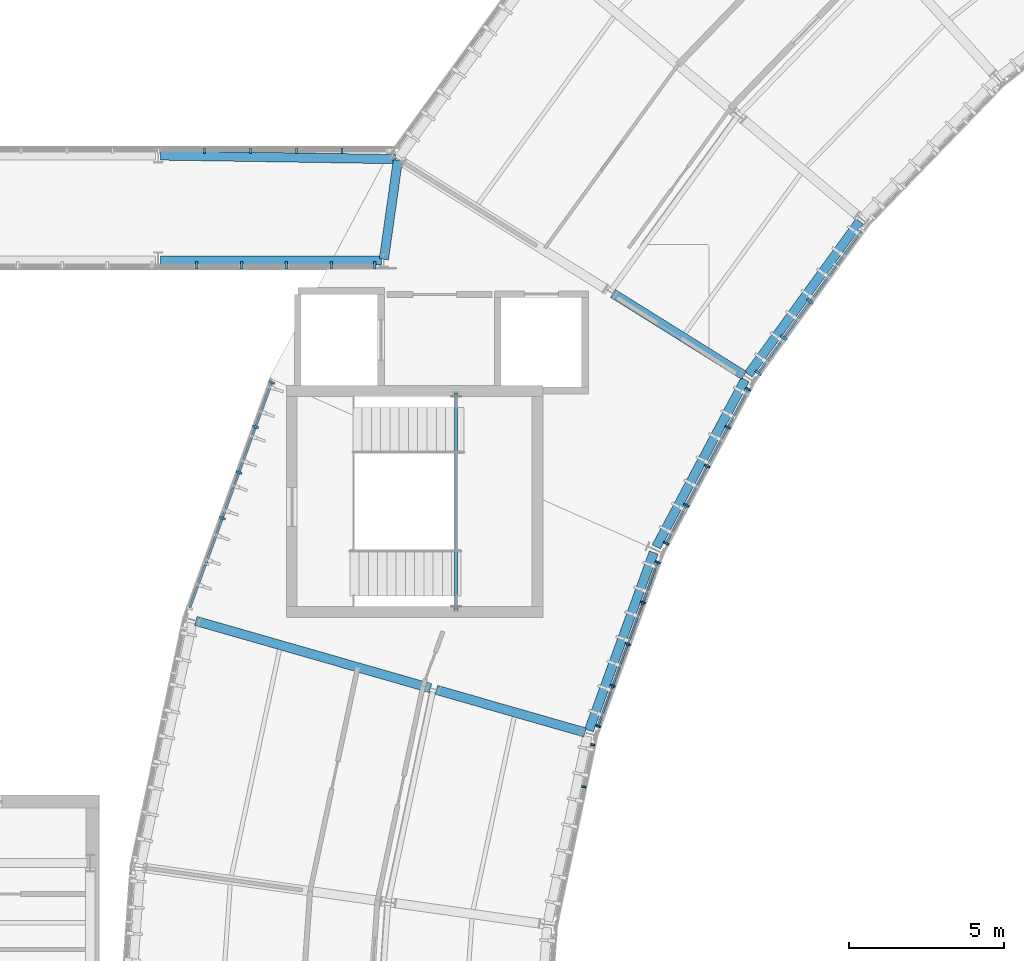
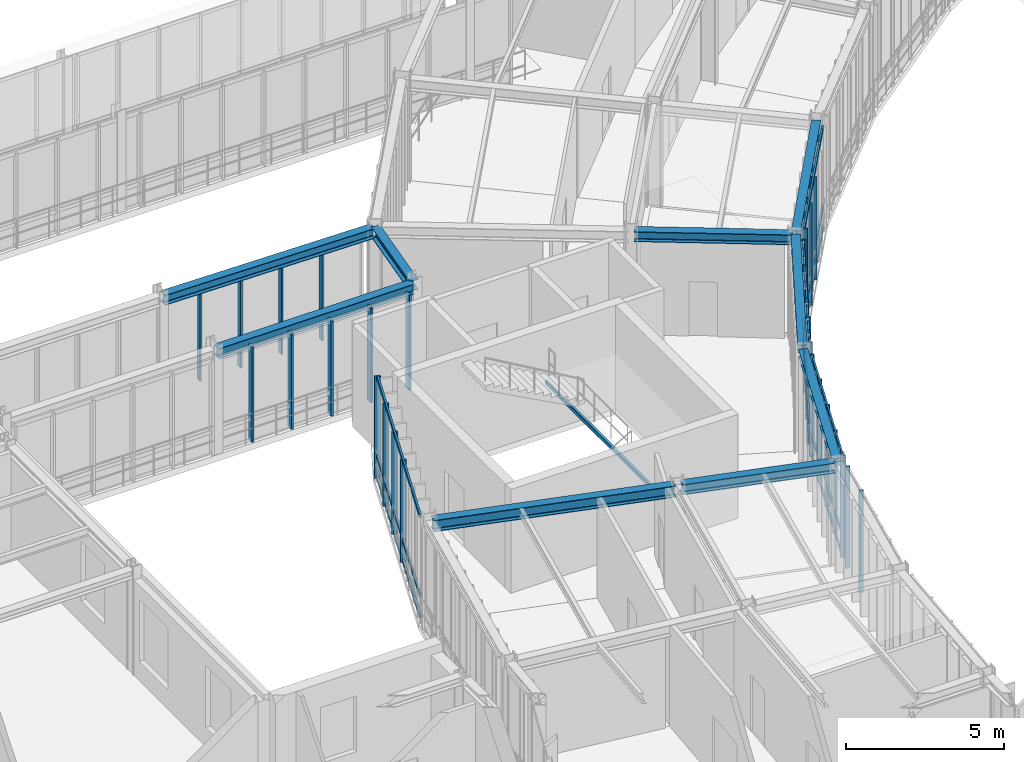
# One storey, part 15 of 57: 41 members, 9 beams, 7 elements without a shape of their own.
"""IFC4 building model written with IfcOpenShell, lengths in metres."""

import ifcopenshell
import ifcopenshell.guid

model = None  # the IFC model being written
_history = None  # IfcOwnerHistory: only IFC2X3 demands one
_inside = {}  # id of a spatial element -> (the spatial element, [elements in it])
_under = {}  # id of a project, library or spatial element -> (it, [spatial elements below it])
_declared = {}  # id of a project -> (the project, [libraries it declares])
_typed = {}  # id of a type object -> (the type object, [elements of that type])
_made_of = {}  # id of a material, layer set ... -> (it, [elements and type objects made of it])


def new_model(schema):
    """Start an empty IFC model of exactly this schema.

    Asked for "IFC4X3", IfcOpenShell would pick the latest addendum, in which some entities
    have other attributes; the version numbers below select the first issue.
    IFC2X3 requires an IfcOwnerHistory on every rooted entity: one is made here for all.
    """
    global model, _history
    if schema == "IFC4X3":
        model = ifcopenshell.file(schema_version=(4, 3, 0, 0))
    else:
        model = ifcopenshell.file(schema=schema)
    _inside.clear()
    _under.clear()
    _declared.clear()
    _typed.clear()
    _made_of.clear()
    _history = None
    if model.schema == "IFC2X3":
        org = make("IfcOrganization", Name="unknown")
        user = make(
            "IfcPersonAndOrganization",
            ThePerson=make("IfcPerson", FamilyName="unknown"),
            TheOrganization=org,
        )
        app = make(
            "IfcApplication",
            ApplicationDeveloper=org,
            Version="unknown",
            ApplicationFullName="unknown",
            ApplicationIdentifier="unknown",
        )
        _history = make(
            "IfcOwnerHistory",
            OwningUser=user,
            OwningApplication=app,
            ChangeAction="ADDED",
            CreationDate=0,
        )
    return model


def make(cls, **values):
    """One entity of the class cls with the attributes given. An attribute that is None is left unset."""
    return model.create_entity(
        cls, **{name: value for name, value in values.items() if value is not None}
    )


def rooted(cls, **values):
    """An entity with a GlobalId (a new one), such as an element, a storey or a relation."""
    return make(cls, GlobalId=ifcopenshell.guid.new(), OwnerHistory=_history, **values)


def si_unit(unit_type, name, prefix=None):
    """IfcSIUnit, for example si_unit("LENGTHUNIT", "METRE", prefix="MILLI")."""
    return make("IfcSIUnit", UnitType=unit_type, Prefix=prefix, Name=name)


def assignment(units):
    """IfcUnitAssignment: the units of a project."""
    return None if units is None else make("IfcUnitAssignment", Units=units)


def point(xyz):
    """IfcCartesianPoint."""
    return None if xyz is None else make("IfcCartesianPoint", Coordinates=xyz)


def direction(xyz):
    """IfcDirection."""
    return None if xyz is None else make("IfcDirection", DirectionRatios=xyz)


def frame(location, z_axis=None, x_axis=None):
    """IfcAxis2Placement3D, a coordinate frame: its origin and axes. An axis left out is left unset."""
    return make(
        "IfcAxis2Placement3D",
        Location=point(location),
        Axis=direction(z_axis),
        RefDirection=direction(x_axis),
    )


def frame_2d(location, x_axis=None):
    """IfcAxis2Placement2D, a coordinate frame in the plane: its origin and x axis."""
    return make(
        "IfcAxis2Placement2D", Location=point(location), RefDirection=direction(x_axis)
    )


def origin():
    """The frame at (0, 0, 0) with its axes left unset."""
    return frame((0.0, 0.0, 0.0))


def origin_2d():
    """The frame at (0, 0) in the plane with its x axis left unset."""
    return frame_2d((0.0, 0.0))


def place(relative_to, where):
    """IfcLocalPlacement: puts the frame where relative to a parent placement (None: the world)."""
    return make(
        "IfcLocalPlacement", PlacementRelTo=relative_to, RelativePlacement=where
    )


def context(
    kind, dimensions, precision=None, world=None, true_north=None, identifier=None
):
    """IfcGeometricRepresentationContext, for example the 3D "Model" context."""
    return make(
        "IfcGeometricRepresentationContext",
        ContextIdentifier=identifier,
        ContextType=kind,
        CoordinateSpaceDimension=dimensions,
        Precision=precision,
        WorldCoordinateSystem=world,
        TrueNorth=true_north,
    )


def subcontext(parent, identifier, kind, view, scale=None):
    """IfcGeometricRepresentationSubContext, for example "Body" below "Model"."""
    return make(
        "IfcGeometricRepresentationSubContext",
        ContextIdentifier=identifier,
        ContextType=kind,
        ParentContext=parent,
        TargetScale=scale,
        TargetView=view,
    )


def project(units=None, contexts=None):
    """IfcProject with its units and contexts."""
    return rooted(
        "IfcProject",
        Name="project",
        RepresentationContexts=contexts,
        UnitsInContext=assignment(units),
    )


def spatial(cls, under=None, at=None, **own):
    """A site, building, storey or space (cls), placed at a placement, below another one or the project."""
    s = rooted(cls, ObjectPlacement=at, **own)
    if under is not None:
        _under.setdefault(under.id(), (under, []))[1].append(s)
    return s


def profile(cls, at=None, kind="AREA", **sizes):
    """A parametric profile (cls). Its sizes go by their IFC names, for example OverallWidth=200.0."""
    return make(cls, ProfileType=kind, Position=at, **sizes)


def rectangle(**sizes):
    """IfcRectangleProfileDef."""
    return profile("IfcRectangleProfileDef", **sizes)


def hollow_rectangle(**sizes):
    """IfcRectangleHollowProfileDef."""
    return profile("IfcRectangleHollowProfileDef", **sizes)


def i_section(**sizes):
    """IfcIShapeProfileDef."""
    return profile("IfcIShapeProfileDef", **sizes)


def extrude(swept, where, along, depth):
    """IfcExtrudedAreaSolid: the profile swept, set in the frame where, extruded along a direction by depth."""
    return make(
        "IfcExtrudedAreaSolid",
        SweptArea=swept,
        Position=where,
        ExtrudedDirection=direction(along),
        Depth=depth,
    )


def shape(context_of_items, identifier, shape_type, items):
    """IfcShapeRepresentation: the items that make up one representation, for example the "Body"."""
    return make(
        "IfcShapeRepresentation",
        ContextOfItems=context_of_items,
        RepresentationIdentifier=identifier,
        RepresentationType=shape_type,
        Items=items,
    )


def material(Name=None, Category=None):
    """IfcMaterial."""
    return make("IfcMaterial", Name=Name, Category=Category)


def layer(
    of_material, thickness, ventilated=None, Name=None, Category=None, Priority=None
):
    """IfcMaterialLayer: one layer of a wall or slab, of a material (None: an air gap)."""
    return make(
        "IfcMaterialLayer",
        Material=of_material,
        LayerThickness=thickness,
        IsVentilated=ventilated,
        Name=Name,
        Category=Category,
        Priority=Priority,
    )


def layer_set(layers, Name=None):
    """IfcMaterialLayerSet."""
    return make("IfcMaterialLayerSet", MaterialLayers=layers, LayerSetName=Name)


def material_profile(
    of_material, cross_section, Name=None, Category=None, Priority=None
):
    """IfcMaterialProfile: a cross section and its material."""
    return make(
        "IfcMaterialProfile",
        Name=Name,
        Material=of_material,
        Profile=cross_section,
        Priority=Priority,
        Category=Category,
    )


def profile_set(profiles, Name=None, composite=None):
    """IfcMaterialProfileSet."""
    return make(
        "IfcMaterialProfileSet",
        Name=Name,
        MaterialProfiles=profiles,
        CompositeProfile=composite,
    )


def made_of(thing, what):
    """Note that an element or type object is made of a material, layer set ...; save() writes the relation."""
    if what is not None:
        _made_of.setdefault(what.id(), (what, []))[1].append(thing)
    return thing


def type_object(cls, material=None, **own):
    """A type object (cls), such as IfcWallType, which elements share."""
    return made_of(rooted(cls, **own), material)


def element(
    cls,
    number,
    at=None,
    inside=None,
    cuts=None,
    type_object=None,
    material=None,
    context=None,
    identifier="Body",
    shape_type=None,
    held_by="IfcProductDefinitionShape",
    body=None,
    shapes=None,
    **own,
):
    """One element of the class cls, such as IfcWall. Its Tag is "e" and its number.

    at: its placement. inside: the storey or other place that contains it. cuts: it is an
    opening in that element (IfcRelVoidsElement). A single representation is given by context,
    identifier, shape_type and body (its items); several are given by shapes. held_by: the class
    of the entity that holds the representations. save() writes the other relations.
    """
    e = rooted(cls, Tag="e%d" % number, ObjectPlacement=at, **own)
    if body is not None:
        shapes = [shape(context, identifier, shape_type, body)]
    if shapes is not None:
        e.Representation = make(held_by, Representations=shapes)
    if inside is not None:
        _inside.setdefault(inside.id(), (inside, []))[1].append(e)
    if cuts is not None:
        rooted(
            "IfcRelVoidsElement", RelatingBuildingElement=cuts, RelatedOpeningElement=e
        )
    if type_object is not None:
        _typed.setdefault(type_object.id(), (type_object, []))[1].append(e)
    return made_of(e, material)


def aggregate(whole, parts):
    """IfcRelAggregates: a whole, such as a stair, and the parts it consists of."""
    return rooted("IfcRelAggregates", RelatingObject=whole, RelatedObjects=parts)


def save(model, path):
    """Write the relations noted so far, then the file.

    IfcRelAggregates (storeys below a building ...), IfcRelContainedInSpatialStructure (elements
    in a storey), IfcRelDefinesByType, IfcRelAssociatesMaterial and IfcRelDeclares: one each for
    every whole, place, type object, material and project.
    """
    for whole, parts in _under.values():
        aggregate(whole, parts)
    for where, things in _inside.values():
        rooted(
            "IfcRelContainedInSpatialStructure",
            RelatedElements=things,
            RelatingStructure=where,
        )
    for kind, things in _typed.values():
        rooted("IfcRelDefinesByType", RelatedObjects=things, RelatingType=kind)
    for what, things in _made_of.values():
        rooted("IfcRelAssociatesMaterial", RelatedObjects=things, RelatingMaterial=what)
    for by, libraries in _declared.values():
        rooted("IfcRelDeclares", RelatingContext=by, RelatedDefinitions=libraries)
    model.write(path)


model = new_model("IFC4")

# Units and contexts
model_context = context("Model", 3, precision=1e-05, world=origin(), true_north=direction((0.0, 1.0)))
body_context = subcontext(model_context, "Body", "Model", "MODEL_VIEW")
ifc_project = project(units=[si_unit("LENGTHUNIT", "METRE"), si_unit("AREAUNIT", "SQUARE_METRE"), si_unit("VOLUMEUNIT", "CUBIC_METRE"), si_unit("PLANEANGLEUNIT", "RADIAN"), si_unit("MASSUNIT", "GRAM", prefix="KILO"), si_unit("THERMODYNAMICTEMPERATUREUNIT", "KELVIN"), si_unit("POWERUNIT", "WATT")], contexts=[model_context])

# Site, building, storey
site_placement = place(None, origin())
site = spatial("IfcSite", under=ifc_project, at=site_placement, CompositionType="ELEMENT")
building_placement = place(site_placement, origin())
building = spatial("IfcBuilding", under=site, at=building_placement, Name="Solvatero Civic Police Headquarters", CompositionType="ELEMENT")
storey_placement = place(building_placement, frame((0.0, 0.0, 9.300048828125)))
storey = spatial("IfcBuildingStorey", under=building, at=storey_placement, Name="L02", CompositionType="ELEMENT", Elevation=9.300048828125)

# Beams
ifc_material_1 = material(Name="Steel S355", Category="steel")
ifc_material_profile_1 = material_profile(ifc_material_1, i_section(OverallWidth=0.300048828125, OverallDepth=0.2900390625, WebThickness=0.008544921875, FlangeThickness=0.013916015625, FilletRadius=0.027099609375, at=origin_2d()), Name="HEA 300")
ifc_profile_set_1 = profile_set([ifc_material_profile_1], Name="Steel S355")
beam_type_1 = type_object("IfcBeamType", Name="BM-ST-HEA300", PredefinedType="SPANDREL", material=ifc_profile_set_1)
beam_1_placement = place(storey_placement, frame((59.201171875, 55.069580078125, 3.85498046875), z_axis=(-0.587785436261, -0.809016860714, 0.0), x_axis=(0.809016860714, -0.587785436261, 0.0)))
element("IfcBeam", 1, at=beam_1_placement, inside=storey, type_object=beam_type_1, Name="Perimeter / radial spandrel beam BM-R2-L02-ARC-CIN-B08", PredefinedType="SPANDREL", context=body_context, shape_type="SweptSolid", body=[
    extrude(i_section(OverallWidth=0.300048828125, OverallDepth=0.2900390625, WebThickness=0.008544921875, FlangeThickness=0.013916015625, FilletRadius=0.027099609375, at=origin_2d()), origin(), (0.0, 0.0, 1.0), 6.126953125),
])
beam_2_placement = place(storey_placement, frame((55.494140625, 49.943603515625, 3.85498046875), z_axis=(-0.469466925059, -0.882950058766, 0.0), x_axis=(0.882950058766, -0.469466925059, 0.0)))
element("IfcBeam", 2, at=beam_2_placement, inside=storey, type_object=beam_type_1, Name="Perimeter / radial spandrel beam BM-R2-L02-ARC-CIN-B09", PredefinedType="SPANDREL", context=body_context, shape_type="SweptSolid", body=[
    extrude(i_section(OverallWidth=0.300048828125, OverallDepth=0.2900390625, WebThickness=0.008544921875, FlangeThickness=0.013916015625, FilletRadius=0.027099609375, at=origin_2d()), origin(), (0.0, 0.0, 1.0), 6.127197265625),
])
beam_3_placement = place(storey_placement, frame((52.53662109375, 44.3515625, 3.85498046875), z_axis=(-0.342050189855, -0.939681684199, 0.0), x_axis=(0.939681684199, -0.342050189855, 0.0)))
element("IfcBeam", 3, at=beam_3_placement, inside=storey, type_object=beam_type_1, Name="Perimeter / radial spandrel beam BM-R2-L02-ARC-CIN-B10", PredefinedType="SPANDREL", context=body_context, shape_type="SweptSolid", body=[
    extrude(i_section(OverallWidth=0.300048828125, OverallDepth=0.2900390625, WebThickness=0.008544921875, FlangeThickness=0.013916015625, FilletRadius=0.027099609375, at=origin_2d()), origin(), (0.0, 0.0, 1.0), 6.126953125),
])
ifc_material_profile_2 = material_profile(ifc_material_1, i_section(OverallWidth=0.300048828125, OverallDepth=0.389892578125, WebThickness=0.010986328125, FlangeThickness=0.01904296875, FilletRadius=0.027099609375, at=origin_2d()), Name="HEA 400")
ifc_profile_set_2 = profile_set([ifc_material_profile_2], Name="Steel S355")
beam_type_2 = type_object("IfcBeamType", Name="BM-ST-HEA400", PredefinedType="BEAM", material=ifc_profile_set_2)
beam_4_placement = place(storey_placement, frame((36.580078125, 53.800048828125, 3.7548828125), z_axis=(1.0, 0.0, 0.0), x_axis=(0.0, 1.0, 0.0)))
element("IfcBeam", 4, at=beam_4_placement, inside=storey, type_object=beam_type_2, Name="Primary girder BM-R2-L02-SB1-S-2", PredefinedType="BEAM", context=body_context, shape_type="SweptSolid", body=[
    extrude(i_section(OverallWidth=0.300048828125, OverallDepth=0.389892578125, WebThickness=0.010986328125, FlangeThickness=0.01904296875, FilletRadius=0.027099609375, at=origin_2d()), origin(), (0.0, 0.0, 1.0), 7.139892578125),
])
beam_5_placement = place(storey_placement, frame((36.580078125, 57.19873046875, 3.7548828125), z_axis=(0.999880206707, -0.015478121194, 0.0), x_axis=(0.015478121194, 0.999880206707, 0.0)))
element("IfcBeam", 5, at=beam_5_placement, inside=storey, type_object=beam_type_2, Name="Primary girder BM-R2-L02-SB1-N-2", PredefinedType="BEAM", context=body_context, shape_type="SweptSolid", body=[
    extrude(i_section(OverallWidth=0.300048828125, OverallDepth=0.389892578125, WebThickness=0.010986328125, FlangeThickness=0.01904296875, FilletRadius=0.027099609375, at=origin_2d()), origin(), (0.0, 0.0, 1.0), 7.602783203125),
])
for number, where, z_axis, x_axis, name in (
    (6, (55.456298828125, 50.084716796875, 3.804931640625), (-0.848042191304, 0.529928713855, 0.0), (-0.529928713855, -0.848042191304, 0.0), "Primary girder BM-R2-L02-ARC-RAD1-S08"),
    (7, (50.310791015625, 38.52783203125, 3.804931640625), (-0.961263719424, 0.275630298987, 0.0), (-0.275630298987, -0.961263719424, 0.0), "Primary girder BM-R2-L02-ARC-RAD1-S10"),
):
    element("IfcBeam", number, at=place(storey_placement, frame(where, z_axis=z_axis, x_axis=x_axis)), inside=storey, type_object=beam_type_2, Name=name, PredefinedType="BEAM", context=body_context, shape_type="SweptSolid", body=[
        extrude(i_section(OverallWidth=0.300048828125, OverallDepth=0.389892578125, WebThickness=0.010986328125, FlangeThickness=0.01904296875, FilletRadius=0.027099609375, at=origin_2d()), origin(), (0.0, 0.0, 1.0), 5.0),
    ])
ifc_material_profile_3 = material_profile(ifc_material_1, i_section(OverallWidth=0.300048828125, OverallDepth=0.43994140625, WebThickness=0.011474609375, FlangeThickness=0.02099609375, FilletRadius=0.027099609375, at=origin_2d()), Name="HEA 450")
ifc_profile_set_3 = profile_set([ifc_material_profile_3], Name="Steel S355")
beam_type_3 = type_object("IfcBeamType", Name="BM-ST-HEA450", PredefinedType="BEAM", material=ifc_profile_set_3)
beam_6_placement = place(storey_placement, frame((45.31201171875, 39.961181640625, 3.780029296875), z_axis=(-0.961271645974, 0.275602653554, 0.0), x_axis=(-0.275602653554, -0.961271645974, 0.0)))
element("IfcBeam", 8, at=beam_6_placement, inside=storey, type_object=beam_type_3, Name="Primary girder BM-R2-L02-ARC-RAD2-S10", PredefinedType="BEAM", context=body_context, shape_type="SweptSolid", body=[
    extrude(i_section(OverallWidth=0.300048828125, OverallDepth=0.43994140625, WebThickness=0.011474609375, FlangeThickness=0.02099609375, FilletRadius=0.027099609375, at=origin_2d()), origin(), (0.0, 0.0, 1.0), 7.89990234375),
])
ifc_material_profile_4 = material_profile(ifc_material_1, i_section(OverallWidth=0.300048828125, OverallDepth=0.39990234375, WebThickness=0.013427734375, FlangeThickness=0.02392578125, FilletRadius=0.027099609375, at=origin_2d()), Name="HEB 400")
ifc_profile_set_4 = profile_set([ifc_material_profile_4], Name="Steel S355")
beam_type_4 = type_object("IfcBeamType", Name="BM-ST-HEB400", PredefinedType="BEAM", material=ifc_profile_set_4)
beam_7_placement = place(storey_placement, frame((43.8056640625, 53.839599609375, 3.75), z_axis=(0.139433054817, 0.990231499814, 0.0), x_axis=(-0.990231499814, 0.139433054817, 0.0)))
element("IfcBeam", 9, at=beam_7_placement, inside=storey, type_object=beam_type_4, Name="Primary girder BM-R2-L02-SB1-SEAT-E", PredefinedType="BEAM", context=body_context, shape_type="SweptSolid", body=[
    extrude(i_section(OverallWidth=0.300048828125, OverallDepth=0.39990234375, WebThickness=0.013427734375, FlangeThickness=0.02392578125, FilletRadius=0.027099609375, at=origin_2d()), origin(), (0.0, 0.0, 1.0), 3.232177734375),
])

# Curtain wall, members
ifc_material_2 = material(Name="Anodized Bronze Aluminium", Category="aluminium")
ifc_layer_1 = layer(ifc_material_2, 0.179931640625)
ifc_layer_set_1 = layer_set([ifc_layer_1], Name="Anodized Bronze Aluminium")
curtain_wall_type_1 = type_object("IfcCurtainWallType", Name="CW-ARC-IN", PredefinedType="USERDEFINED", material=ifc_layer_set_1)
curtain_wall_1_placement = place(storey_placement, origin())
curtain_wall_1 = element("IfcCurtainWall", 10, at=curtain_wall_1_placement, inside=storey, type_object=curtain_wall_type_1, Name="Curtain Wall CW-R2-L02-ARC-IN-B08", ObjectType="UNITISED", PredefinedType="USERDEFINED")
ifc_material_profile_5 = material_profile(ifc_material_2, rectangle(XDim=0.080078125, YDim=0.239990234375, at=origin_2d()), Name="ALU MULLION 80x240")
ifc_profile_set_5 = profile_set([ifc_material_profile_5], Name="Anodized Bronze Aluminium")
member_type_1 = type_object("IfcMemberType", Name="CWM-140x60", PredefinedType="MULLION", material=ifc_profile_set_5)
member_1_placement = place(storey_placement, frame((57.595947265625, 52.469970703125, 0.0), z_axis=(0.0, 0.0, 1.0), x_axis=(-0.587785252292, -0.809016994375, 0.0)))
member_1 = element("IfcMember", 11, at=member_1_placement, type_object=member_type_1, Name="CW-R2-L02-ARC-IN-B08 Mullion 3", PredefinedType="MULLION", context=body_context, shape_type="SweptSolid", body=[
    extrude(rectangle(XDim=0.080078125, YDim=0.239990234375, at=origin_2d()), origin(), (0.0, 0.0, 1.0), 3.93994140625),
])
member_2_placement = place(storey_placement, frame((56.74658203125, 51.30078125, 0.0), z_axis=(0.0, 0.0, 1.0), x_axis=(-0.587785252292, -0.809016994375, 0.0)))
member_2 = element("IfcMember", 12, at=member_2_placement, type_object=member_type_1, Name="CW-R2-L02-ARC-IN-B08 Mullion 4", PredefinedType="MULLION", context=body_context, shape_type="SweptSolid", body=[
    extrude(rectangle(XDim=0.080078125, YDim=0.239990234375, at=origin_2d()), origin(), (0.0, 0.0, 1.0), 3.93994140625),
])
member_3_placement = place(storey_placement, frame((55.920654296875, 50.1640625, 0.0), z_axis=(0.0, 0.0, 1.0), x_axis=(-0.587785252292, -0.809016994375, 0.0)))
member_3 = element("IfcMember", 13, at=member_3_placement, type_object=member_type_1, Name="CW-R2-L02-ARC-IN-B08 Mullion 5", PredefinedType="MULLION", context=body_context, shape_type="SweptSolid", body=[
    extrude(rectangle(XDim=0.080078125, YDim=0.239990234375, at=origin_2d()), origin(), (0.0, 0.0, 1.0), 3.93994140625),
])

ifc_layer_2 = layer(ifc_material_2, 0.179931640625)
ifc_layer_set_2 = layer_set([ifc_layer_2], Name="Anodized Bronze Aluminium")
curtain_wall_type_2 = type_object("IfcCurtainWallType", Name="CW-SB-GLZ", PredefinedType="USERDEFINED", material=ifc_layer_set_2)
curtain_wall_2_placement = place(storey_placement, origin())
curtain_wall_2 = element("IfcCurtainWall", 14, at=curtain_wall_2_placement, inside=storey, type_object=curtain_wall_type_2, Name="Curtain Wall CW-R2-L02-SB1-S", ObjectType="UNITISED", PredefinedType="USERDEFINED")
member_4_placement = place(storey_placement, frame((37.748779296875, 53.64990234375, 0.0), z_axis=(0.0, 0.0, 1.0), x_axis=(1.0, 0.0, 0.0)))
member_4 = element("IfcMember", 15, at=member_4_placement, type_object=member_type_1, Name="CW-R2-L02-SB1-S Mullion 7", PredefinedType="MULLION", context=body_context, shape_type="SweptSolid", body=[
    extrude(rectangle(XDim=0.080078125, YDim=0.239990234375, at=origin_2d()), origin(), (0.0, 0.0, 1.0), 3.64990234375),
])
member_5_placement = place(storey_placement, frame((39.197509765625, 53.64990234375, 0.0), z_axis=(0.0, 0.0, 1.0), x_axis=(1.0, 0.0, 0.0)))
member_5 = element("IfcMember", 16, at=member_5_placement, type_object=member_type_1, Name="CW-R2-L02-SB1-S Mullion 8", PredefinedType="MULLION", context=body_context, shape_type="SweptSolid", body=[
    extrude(rectangle(XDim=0.080078125, YDim=0.239990234375, at=origin_2d()), origin(), (0.0, 0.0, 1.0), 3.64990234375),
])
member_6_placement = place(storey_placement, frame((40.646484375, 53.64990234375, 0.0), z_axis=(0.0, 0.0, 1.0), x_axis=(1.0, 0.0, 0.0)))
member_6 = element("IfcMember", 17, at=member_6_placement, type_object=member_type_1, Name="CW-R2-L02-SB1-S Mullion 9", PredefinedType="MULLION", context=body_context, shape_type="SweptSolid", body=[
    extrude(rectangle(XDim=0.080078125, YDim=0.239990234375, at=origin_2d()), origin(), (0.0, 0.0, 1.0), 3.64990234375),
])
member_7_placement = place(storey_placement, frame((42.09521484375, 53.64990234375, 0.0), z_axis=(0.0, 0.0, 1.0), x_axis=(1.0, 0.0, 0.0)))
member_7 = element("IfcMember", 18, at=member_7_placement, type_object=member_type_1, Name="CW-R2-L02-SB1-S Mullion 10", PredefinedType="MULLION", context=body_context, shape_type="SweptSolid", body=[
    extrude(rectangle(XDim=0.080078125, YDim=0.239990234375, at=origin_2d()), origin(), (0.0, 0.0, 1.0), 3.64990234375),
])
member_8_placement = place(storey_placement, frame((43.50390625, 53.64990234375, 0.0), z_axis=(0.0, 0.0, 1.0), x_axis=(1.0, 0.0, 0.0)))
member_8 = element("IfcMember", 19, at=member_8_placement, type_object=member_type_1, Name="CW-R2-L02-SB1-S Mullion 11", PredefinedType="MULLION", context=body_context, shape_type="SweptSolid", body=[
    extrude(rectangle(XDim=0.080078125, YDim=0.239990234375, at=origin_2d()), origin(), (0.0, 0.0, 1.0), 3.64990234375),
])
aggregate(curtain_wall_2, [member_4, member_5, member_6, member_7, member_8])

curtain_wall_3_placement = place(storey_placement, origin())
curtain_wall_3 = element("IfcCurtainWall", 20, at=curtain_wall_3_placement, inside=storey, type_object=curtain_wall_type_1, Name="Curtain Wall CW-R2-L02-ARC-IN-B11", ObjectType="UNITISED", PredefinedType="USERDEFINED")
ifc_material_profile_6 = material_profile(ifc_material_2, rectangle(XDim=0.06005859375, YDim=0.139892578125, at=origin_2d()), Name="ALU MULLION 60x140")
ifc_profile_set_6 = profile_set([ifc_material_profile_6], Name="Anodized Bronze Aluminium")
member_type_2 = type_object("IfcMemberType", Name="CWM-160x65", PredefinedType="MULLION", material=ifc_profile_set_6)
member_9_placement = place(storey_placement, frame((50.5625, 38.129638671875, 0.0), z_axis=(0.0, 0.0, 1.0), x_axis=(-0.207911690818, -0.978147600734, 0.0)))
member_9 = element("IfcMember", 21, at=member_9_placement, type_object=member_type_2, Name="CW-R2-L02-ARC-IN-B11 Mullion 1", PredefinedType="MULLION", context=body_context, shape_type="SweptSolid", body=[
    extrude(rectangle(XDim=0.06005859375, YDim=0.139892578125, at=origin_2d()), origin(), (0.0, 0.0, 1.0), 3.93994140625),
])
member_10_placement = place(storey_placement, frame((50.2734375, 36.76953125, 0.0), z_axis=(0.0, 0.0, 1.0), x_axis=(-0.207911690818, -0.978147600734, 0.0)))
member_10 = element("IfcMember", 22, at=member_10_placement, type_object=member_type_2, Name="CW-R2-L02-ARC-IN-B11 Mullion 2", PredefinedType="MULLION", context=body_context, shape_type="SweptSolid", body=[
    extrude(rectangle(XDim=0.06005859375, YDim=0.139892578125, at=origin_2d()), origin(), (0.0, 0.0, 1.0), 3.93994140625),
])
aggregate(curtain_wall_3, [member_9, member_10])

curtain_wall_4_placement = place(storey_placement, origin())
curtain_wall_4 = element("IfcCurtainWall", 23, at=curtain_wall_4_placement, inside=storey, type_object=curtain_wall_type_1, Name="Curtain Wall CW-R2-L02-ARC-IN-B10", ObjectType="UNITISED", PredefinedType="USERDEFINED")
ifc_material_profile_7 = material_profile(ifc_material_2, rectangle(XDim=0.06005859375, YDim=0.159912109375, at=origin_2d()), Name="ALU MULLION 60x160")
ifc_profile_set_7 = profile_set([ifc_material_profile_7], Name="Anodized Bronze Aluminium")
member_type_3 = type_object("IfcMemberType", Name="CWM-180x70", PredefinedType="MULLION", material=ifc_profile_set_7)
member_11_placement = place(storey_placement, frame((52.664794921875, 44.033447265625, 0.0), z_axis=(0.0, 0.0, 1.0), x_axis=(-0.342003742543, -0.93969859002, 0.0)))
member_11 = element("IfcMember", 24, at=member_11_placement, type_object=member_type_3, Name="CW-R2-L02-ARC-IN-B10 Mullion 1", PredefinedType="MULLION", context=body_context, shape_type="SweptSolid", body=[
    extrude(rectangle(XDim=0.06005859375, YDim=0.159912109375, at=origin_2d()), origin(), (0.0, 0.0, 1.0), 3.93994140625),
])
member_12_placement = place(storey_placement, frame((52.189208984375, 42.726806640625, 0.0), z_axis=(0.0, 0.0, 1.0), x_axis=(-0.342003742543, -0.93969859002, 0.0)))
member_12 = element("IfcMember", 25, at=member_12_placement, type_object=member_type_3, Name="CW-R2-L02-ARC-IN-B10 Mullion 2", PredefinedType="MULLION", context=body_context, shape_type="SweptSolid", body=[
    extrude(rectangle(XDim=0.06005859375, YDim=0.159912109375, at=origin_2d()), origin(), (0.0, 0.0, 1.0), 3.93994140625),
])
member_13_placement = place(storey_placement, frame((51.699951171875, 41.3828125, 0.0), z_axis=(0.0, 0.0, 1.0), x_axis=(-0.342003742543, -0.93969859002, 0.0)))
member_13 = element("IfcMember", 26, at=member_13_placement, type_object=member_type_3, Name="CW-R2-L02-ARC-IN-B10 Mullion 3", PredefinedType="MULLION", context=body_context, shape_type="SweptSolid", body=[
    extrude(rectangle(XDim=0.06005859375, YDim=0.159912109375, at=origin_2d()), origin(), (0.0, 0.0, 1.0), 3.93994140625),
])
member_14_placement = place(storey_placement, frame((51.210693359375, 40.03857421875, 0.0), z_axis=(0.0, 0.0, 1.0), x_axis=(-0.342003742543, -0.93969859002, 0.0)))
member_14 = element("IfcMember", 27, at=member_14_placement, type_object=member_type_3, Name="CW-R2-L02-ARC-IN-B10 Mullion 4", PredefinedType="MULLION", context=body_context, shape_type="SweptSolid", body=[
    extrude(rectangle(XDim=0.06005859375, YDim=0.159912109375, at=origin_2d()), origin(), (0.0, 0.0, 1.0), 3.93994140625),
])
member_15_placement = place(storey_placement, frame((50.7353515625, 38.73193359375, 0.0), z_axis=(0.0, 0.0, 1.0), x_axis=(-0.342003742543, -0.93969859002, 0.0)))
member_15 = element("IfcMember", 28, at=member_15_placement, type_object=member_type_3, Name="CW-R2-L02-ARC-IN-B10 Mullion 5", PredefinedType="MULLION", context=body_context, shape_type="SweptSolid", body=[
    extrude(rectangle(XDim=0.06005859375, YDim=0.159912109375, at=origin_2d()), origin(), (0.0, 0.0, 1.0), 3.93994140625),
])

curtain_wall_5_placement = place(storey_placement, origin())
curtain_wall_5 = element("IfcCurtainWall", 29, at=curtain_wall_5_placement, inside=storey, type_object=curtain_wall_type_1, Name="Curtain Wall CW-R2-L02-ARC-IN-B09", ObjectType="UNITISED", PredefinedType="USERDEFINED")
ifc_material_profile_8 = material_profile(ifc_material_2, rectangle(XDim=0.06494140625, YDim=0.179931640625, at=origin_2d()), Name="ALU MULLION 65x180")
ifc_profile_set_8 = profile_set([ifc_material_profile_8], Name="Anodized Bronze Aluminium")
member_type_4 = type_object("IfcMemberType", Name="CWM-200x75", PredefinedType="MULLION", material=ifc_profile_set_8)
member_16_placement = place(storey_placement, frame((55.588623046875, 49.6328125, 0.0), z_axis=(0.0, 0.0, 1.0), x_axis=(-0.469471562786, -0.882947592859, 0.0)))
member_16 = element("IfcMember", 30, at=member_16_placement, type_object=member_type_4, Name="CW-R2-L02-ARC-IN-B09 Mullion 1", PredefinedType="MULLION", context=body_context, shape_type="SweptSolid", body=[
    extrude(rectangle(XDim=0.06494140625, YDim=0.179931640625, at=origin_2d()), origin(), (0.0, 0.0, 1.0), 3.93994140625),
])
member_17_placement = place(storey_placement, frame((54.935791015625, 48.405029296875, 0.0), z_axis=(0.0, 0.0, 1.0), x_axis=(-0.469471562786, -0.882947592859, 0.0)))
member_17 = element("IfcMember", 31, at=member_17_placement, type_object=member_type_4, Name="CW-R2-L02-ARC-IN-B09 Mullion 2", PredefinedType="MULLION", context=body_context, shape_type="SweptSolid", body=[
    extrude(rectangle(XDim=0.06494140625, YDim=0.179931640625, at=origin_2d()), origin(), (0.0, 0.0, 1.0), 3.93994140625),
])
member_18_placement = place(storey_placement, frame((54.26416015625, 47.14208984375, 0.0), z_axis=(0.0, 0.0, 1.0), x_axis=(-0.469471562786, -0.882947592859, 0.0)))
member_18 = element("IfcMember", 32, at=member_18_placement, type_object=member_type_4, Name="CW-R2-L02-ARC-IN-B09 Mullion 3", PredefinedType="MULLION", context=body_context, shape_type="SweptSolid", body=[
    extrude(rectangle(XDim=0.06494140625, YDim=0.179931640625, at=origin_2d()), origin(), (0.0, 0.0, 1.0), 3.93994140625),
])
member_19_placement = place(storey_placement, frame((53.5927734375, 45.87890625, 0.0), z_axis=(0.0, 0.0, 1.0), x_axis=(-0.469471562786, -0.882947592859, 0.0)))
member_19 = element("IfcMember", 33, at=member_19_placement, type_object=member_type_4, Name="CW-R2-L02-ARC-IN-B09 Mullion 4", PredefinedType="MULLION", context=body_context, shape_type="SweptSolid", body=[
    extrude(rectangle(XDim=0.06494140625, YDim=0.179931640625, at=origin_2d()), origin(), (0.0, 0.0, 1.0), 3.93994140625),
])
member_20_placement = place(storey_placement, frame((52.93994140625, 44.651123046875, 0.0), z_axis=(0.0, 0.0, 1.0), x_axis=(-0.469471562786, -0.882947592859, 0.0)))
member_20 = element("IfcMember", 34, at=member_20_placement, type_object=member_type_4, Name="CW-R2-L02-ARC-IN-B09 Mullion 5", PredefinedType="MULLION", context=body_context, shape_type="SweptSolid", body=[
    extrude(rectangle(XDim=0.06494140625, YDim=0.179931640625, at=origin_2d()), origin(), (0.0, 0.0, 1.0), 3.93994140625),
])

curtain_wall_6_placement = place(storey_placement, origin())
curtain_wall_6 = element("IfcCurtainWall", 35, at=curtain_wall_6_placement, inside=storey, type_object=curtain_wall_type_2, Name="Curtain Wall CW-R2-L02-SB1-N", ObjectType="UNITISED", PredefinedType="USERDEFINED")
member_21_placement = place(storey_placement, frame((38.0, 57.35009765625, 0.0), z_axis=(0.0, 0.0, 1.0), x_axis=(1.0, 0.0, 0.0)))
member_21 = element("IfcMember", 36, at=member_21_placement, type_object=member_type_4, Name="CW-R2-L02-SB1-N Mullion 7", PredefinedType="MULLION", context=body_context, shape_type="SweptSolid", body=[
    extrude(rectangle(XDim=0.06494140625, YDim=0.179931640625, at=origin_2d()), origin(), (0.0, 0.0, 1.0), 3.64990234375),
])
member_22_placement = place(storey_placement, frame((39.485107421875, 57.35009765625, 0.0), z_axis=(0.0, 0.0, 1.0), x_axis=(1.0, 0.0, 0.0)))
member_22 = element("IfcMember", 37, at=member_22_placement, type_object=member_type_4, Name="CW-R2-L02-SB1-N Mullion 8", PredefinedType="MULLION", context=body_context, shape_type="SweptSolid", body=[
    extrude(rectangle(XDim=0.06494140625, YDim=0.179931640625, at=origin_2d()), origin(), (0.0, 0.0, 1.0), 3.64990234375),
])
member_23_placement = place(storey_placement, frame((40.969970703125, 57.35009765625, 0.0), z_axis=(0.0, 0.0, 1.0), x_axis=(1.0, 0.0, 0.0)))
member_23 = element("IfcMember", 38, at=member_23_placement, type_object=member_type_4, Name="CW-R2-L02-SB1-N Mullion 9", PredefinedType="MULLION", context=body_context, shape_type="SweptSolid", body=[
    extrude(rectangle(XDim=0.06494140625, YDim=0.179931640625, at=origin_2d()), origin(), (0.0, 0.0, 1.0), 3.64990234375),
])
member_24_placement = place(storey_placement, frame((42.455078125, 57.35009765625, 0.0), z_axis=(0.0, 0.0, 1.0), x_axis=(1.0, 0.0, 0.0)))
member_24 = element("IfcMember", 39, at=member_24_placement, type_object=member_type_4, Name="CW-R2-L02-SB1-N Mullion 10", PredefinedType="MULLION", context=body_context, shape_type="SweptSolid", body=[
    extrude(rectangle(XDim=0.06494140625, YDim=0.179931640625, at=origin_2d()), origin(), (0.0, 0.0, 1.0), 3.64990234375),
])
aggregate(curtain_wall_6, [member_21, member_22, member_23, member_24])

ifc_layer_3 = layer(ifc_material_2, 0.179931640625)
ifc_layer_set_3 = layer_set([ifc_layer_3], Name="Anodized Bronze Aluminium")
curtain_wall_type_3 = type_object("IfcCurtainWallType", Name="CW-ARC-OUT", PredefinedType="USERDEFINED", material=ifc_layer_set_3)
curtain_wall_7_placement = place(storey_placement, origin())
curtain_wall_7 = element("IfcCurtainWall", 40, at=curtain_wall_7_placement, inside=storey, type_object=curtain_wall_type_3, Name="Curtain Wall CW-R2-L02-ARC-OUT-B10", ObjectType="UNITISED", PredefinedType="USERDEFINED")
ifc_material_profile_9 = material_profile(ifc_material_2, rectangle(XDim=0.070068359375, YDim=0.199951171875, at=origin_2d()), Name="ALU MULLION 70x200")
ifc_profile_set_9 = profile_set([ifc_material_profile_9], Name="Anodized Bronze Aluminium")
member_type_5 = type_object("IfcMemberType", Name="CWM-220x80", PredefinedType="MULLION", material=ifc_profile_set_9)
member_25_placement = place(storey_placement, frame((40.17626953125, 49.854736328125, 0.0), z_axis=(0.0, 0.0, 1.0), x_axis=(-0.342020143326, -0.939692620786, 0.0)))
member_25 = element("IfcMember", 41, at=member_25_placement, type_object=member_type_5, Name="CW-R2-L02-ARC-OUT-B10 Mullion 1", PredefinedType="MULLION", context=body_context, shape_type="SweptSolid", body=[
    extrude(rectangle(XDim=0.070068359375, YDim=0.199951171875, at=origin_2d()), origin(), (0.0, 0.0, 1.0), 3.93994140625),
])
member_26_placement = place(storey_placement, frame((39.65234375, 48.415283203125, 0.0), z_axis=(0.0, 0.0, 1.0), x_axis=(-0.342020143326, -0.939692620786, 0.0)))
member_26 = element("IfcMember", 42, at=member_26_placement, type_object=member_type_5, Name="CW-R2-L02-ARC-OUT-B10 Mullion 2", PredefinedType="MULLION", context=body_context, shape_type="SweptSolid", body=[
    extrude(rectangle(XDim=0.070068359375, YDim=0.199951171875, at=origin_2d()), origin(), (0.0, 0.0, 1.0), 3.93994140625),
])
member_27_placement = place(storey_placement, frame((39.11474609375, 46.93798828125, 0.0), z_axis=(0.0, 0.0, 1.0), x_axis=(-0.342020143326, -0.939692620786, 0.0)))
member_27 = element("IfcMember", 43, at=member_27_placement, type_object=member_type_5, Name="CW-R2-L02-ARC-OUT-B10 Mullion 3", PredefinedType="MULLION", context=body_context, shape_type="SweptSolid", body=[
    extrude(rectangle(XDim=0.070068359375, YDim=0.199951171875, at=origin_2d()), origin(), (0.0, 0.0, 1.0), 3.93994140625),
])
member_28_placement = place(storey_placement, frame((38.576904296875, 45.4609375, 0.0), z_axis=(0.0, 0.0, 1.0), x_axis=(-0.342020143326, -0.939692620786, 0.0)))
member_28 = element("IfcMember", 44, at=member_28_placement, type_object=member_type_5, Name="CW-R2-L02-ARC-OUT-B10 Mullion 4", PredefinedType="MULLION", context=body_context, shape_type="SweptSolid", body=[
    extrude(rectangle(XDim=0.070068359375, YDim=0.199951171875, at=origin_2d()), origin(), (0.0, 0.0, 1.0), 3.93994140625),
])
ifc_material_profile_10 = material_profile(ifc_material_2, rectangle(XDim=0.070068359375, YDim=0.159912109375, at=origin_2d()), Name="ALU TRANSOM 70x160")
ifc_profile_set_10 = profile_set([ifc_material_profile_10], Name="Anodized Bronze Aluminium")
member_type_6 = type_object("IfcMemberType", Name="CWT-120x55", PredefinedType="USERDEFINED", material=ifc_profile_set_10)
member_29_placement = place(storey_placement, frame((40.1728515625, 49.84521484375, 0.0400390625), z_axis=(-0.342038618414, -0.939685896198, 0.0), x_axis=(0.939685896198, -0.342038618414, 0.0)))
member_29 = element("IfcMember", 45, at=member_29_placement, type_object=member_type_6, Name="CW-R2-L02-ARC-OUT-B10 Transom 1", ObjectType="TRANSOM", PredefinedType="USERDEFINED", context=body_context, shape_type="SweptSolid", body=[
    extrude(rectangle(XDim=0.070068359375, YDim=0.159912109375, at=origin_2d()), origin(), (0.0, 0.0, 1.0), 7.759521484375),
])
member_30_placement = place(storey_placement, frame((40.1728515625, 49.84521484375, 0.849853515625), z_axis=(-0.342038618414, -0.939685896198, 0.0), x_axis=(0.939685896198, -0.342038618414, 0.0)))
member_30 = element("IfcMember", 46, at=member_30_placement, type_object=member_type_6, Name="CW-R2-L02-ARC-OUT-B10 Transom 2", ObjectType="TRANSOM", PredefinedType="USERDEFINED", context=body_context, shape_type="SweptSolid", body=[
    extrude(rectangle(XDim=0.070068359375, YDim=0.159912109375, at=origin_2d()), origin(), (0.0, 0.0, 1.0), 7.759521484375),
])
member_31_placement = place(storey_placement, frame((40.1728515625, 49.84521484375, 3.89990234375), z_axis=(-0.342038618414, -0.939685896198, 0.0), x_axis=(0.939685896198, -0.342038618414, 0.0)))
member_31 = element("IfcMember", 47, at=member_31_placement, type_object=member_type_6, Name="CW-R2-L02-ARC-OUT-B10 Transom 3", ObjectType="TRANSOM", PredefinedType="USERDEFINED", context=body_context, shape_type="SweptSolid", body=[
    extrude(rectangle(XDim=0.070068359375, YDim=0.159912109375, at=origin_2d()), origin(), (0.0, 0.0, 1.0), 7.759521484375),
])
aggregate(curtain_wall_7, [member_25, member_26, member_27, member_28, member_29, member_30, member_31])

# Member
ifc_material_profile_11 = material_profile(ifc_material_2, rectangle(XDim=0.06005859375, YDim=0.110107421875, at=origin_2d()), Name="ALU TRANSOM 60x110")
ifc_profile_set_11 = profile_set([ifc_material_profile_11], Name="Anodized Bronze Aluminium")
member_type_7 = type_object("IfcMemberType", Name="CWT-140x60", PredefinedType="USERDEFINED", material=ifc_profile_set_11)
member_32_placement = place(storey_placement, frame((55.583984375, 49.623779296875, 0.0400390625), z_axis=(-0.469481171993, -0.882942483486, 0.0), x_axis=(0.882942483486, -0.469481171993, 0.0)))
member_32 = element("IfcMember", 48, at=member_32_placement, type_object=member_type_7, Name="CW-R2-L02-ARC-IN-B09 Transom 1", ObjectType="TRANSOM", PredefinedType="USERDEFINED", context=body_context, shape_type="SweptSolid", body=[
    extrude(rectangle(XDim=0.06005859375, YDim=0.110107421875, at=origin_2d()), origin(), (0.0, 0.0, 1.0), 5.6220703125),
])

member_33_placement = place(storey_placement, frame((55.583984375, 49.623779296875, 0.849853515625), z_axis=(-0.469481171993, -0.882942483486, 0.0), x_axis=(0.882942483486, -0.469481171993, 0.0)))
member_33 = element("IfcMember", 49, at=member_33_placement, type_object=member_type_7, Name="CW-R2-L02-ARC-IN-B09 Transom 2", ObjectType="TRANSOM", PredefinedType="USERDEFINED", context=body_context, shape_type="SweptSolid", body=[
    extrude(rectangle(XDim=0.06005859375, YDim=0.110107421875, at=origin_2d()), origin(), (0.0, 0.0, 1.0), 5.6220703125),
])

member_34_placement = place(storey_placement, frame((55.583984375, 49.623779296875, 3.89990234375), z_axis=(-0.469481171993, -0.882942483486, 0.0), x_axis=(0.882942483486, -0.469481171993, 0.0)))
member_34 = element("IfcMember", 50, at=member_34_placement, type_object=member_type_7, Name="CW-R2-L02-ARC-IN-B09 Transom 3", ObjectType="TRANSOM", PredefinedType="USERDEFINED", context=body_context, shape_type="SweptSolid", body=[
    extrude(rectangle(XDim=0.06005859375, YDim=0.110107421875, at=origin_2d()), origin(), (0.0, 0.0, 1.0), 5.6220703125),
])

aggregate(curtain_wall_5, [member_16, member_17, member_18, member_19, member_20, member_32, member_33, member_34])

ifc_material_profile_12 = material_profile(ifc_material_2, rectangle(XDim=0.06005859375, YDim=0.125, at=origin_2d()), Name="ALU TRANSOM 60x125")
ifc_profile_set_12 = profile_set([ifc_material_profile_12], Name="Anodized Bronze Aluminium")
member_type_8 = type_object("IfcMemberType", Name="CWT-160x65", PredefinedType="USERDEFINED", material=ifc_profile_set_12)
member_35_placement = place(storey_placement, frame((52.661376953125, 44.02392578125, 0.0400390625), z_axis=(-0.341997597251, -0.93970082658, 0.0), x_axis=(0.93970082658, -0.341997597251, 0.0)))
member_35 = element("IfcMember", 51, at=member_35_placement, type_object=member_type_8, Name="CW-R2-L02-ARC-IN-B10 Transom 1", ObjectType="TRANSOM", PredefinedType="USERDEFINED", context=body_context, shape_type="SweptSolid", body=[
    extrude(rectangle(XDim=0.06005859375, YDim=0.125, at=origin_2d()), origin(), (0.0, 0.0, 1.0), 5.62158203125),
])

member_36_placement = place(storey_placement, frame((52.661376953125, 44.02392578125, 0.849853515625), z_axis=(-0.341997597251, -0.93970082658, 0.0), x_axis=(0.93970082658, -0.341997597251, 0.0)))
member_36 = element("IfcMember", 52, at=member_36_placement, type_object=member_type_8, Name="CW-R2-L02-ARC-IN-B10 Transom 2", ObjectType="TRANSOM", PredefinedType="USERDEFINED", context=body_context, shape_type="SweptSolid", body=[
    extrude(rectangle(XDim=0.06005859375, YDim=0.125, at=origin_2d()), origin(), (0.0, 0.0, 1.0), 5.62158203125),
])

member_37_placement = place(storey_placement, frame((52.661376953125, 44.02392578125, 3.89990234375), z_axis=(-0.341997597251, -0.93970082658, 0.0), x_axis=(0.93970082658, -0.341997597251, 0.0)))
member_37 = element("IfcMember", 53, at=member_37_placement, type_object=member_type_8, Name="CW-R2-L02-ARC-IN-B10 Transom 3", ObjectType="TRANSOM", PredefinedType="USERDEFINED", context=body_context, shape_type="SweptSolid", body=[
    extrude(rectangle(XDim=0.06005859375, YDim=0.125, at=origin_2d()), origin(), (0.0, 0.0, 1.0), 5.62158203125),
])

aggregate(curtain_wall_4, [member_11, member_12, member_13, member_14, member_15, member_35, member_36, member_37])

ifc_material_profile_13 = material_profile(ifc_material_2, rectangle(XDim=0.06494140625, YDim=0.139892578125, at=origin_2d()), Name="ALU TRANSOM 65x140")
ifc_profile_set_13 = profile_set([ifc_material_profile_13], Name="Anodized Bronze Aluminium")
member_type_9 = type_object("IfcMemberType", Name="CWT-180x70", PredefinedType="USERDEFINED", material=ifc_profile_set_13)
member_38_placement = place(storey_placement, frame((59.265625, 54.767822265625, 0.0400390625), z_axis=(-0.587801101564, -0.809005478968, 0.0), x_axis=(0.809005478968, -0.587801101564, 0.0)))
member_38 = element("IfcMember", 54, at=member_38_placement, type_object=member_type_9, Name="CW-R2-L02-ARC-IN-B08 Transom 1", ObjectType="TRANSOM", PredefinedType="USERDEFINED", context=body_context, shape_type="SweptSolid", body=[
    extrude(rectangle(XDim=0.06494140625, YDim=0.139892578125, at=origin_2d()), origin(), (0.0, 0.0, 1.0), 5.6806640625),
])

member_39_placement = place(storey_placement, frame((59.265625, 54.767822265625, 0.849853515625), z_axis=(-0.587801101564, -0.809005478968, 0.0), x_axis=(0.809005478968, -0.587801101564, 0.0)))
member_39 = element("IfcMember", 55, at=member_39_placement, type_object=member_type_9, Name="CW-R2-L02-ARC-IN-B08 Transom 2", ObjectType="TRANSOM", PredefinedType="USERDEFINED", context=body_context, shape_type="SweptSolid", body=[
    extrude(rectangle(XDim=0.06494140625, YDim=0.139892578125, at=origin_2d()), origin(), (0.0, 0.0, 1.0), 5.6806640625),
])

member_40_placement = place(storey_placement, frame((59.265625, 54.767822265625, 3.89990234375), z_axis=(-0.587801101564, -0.809005478968, 0.0), x_axis=(0.809005478968, -0.587801101564, 0.0)))
member_40 = element("IfcMember", 56, at=member_40_placement, type_object=member_type_9, Name="CW-R2-L02-ARC-IN-B08 Transom 3", ObjectType="TRANSOM", PredefinedType="USERDEFINED", context=body_context, shape_type="SweptSolid", body=[
    extrude(rectangle(XDim=0.06494140625, YDim=0.139892578125, at=origin_2d()), origin(), (0.0, 0.0, 1.0), 5.6806640625),
])

aggregate(curtain_wall_1, [member_1, member_2, member_3, member_38, member_39, member_40])

ifc_material_profile_14 = material_profile(ifc_material_1, hollow_rectangle(XDim=0.10009765625, YDim=0.14990234375, WallThickness=0.00634765625, InnerFilletRadius=0.00634765625, OuterFilletRadius=0.0126953125, at=origin_2d()), Name="RHS 150x100x6.3")
ifc_profile_set_14 = profile_set([ifc_material_profile_14], Name="Steel S355")
member_type_10 = type_object("IfcMemberType", Name="MB-BR-RHS150", PredefinedType="BRACE", material=ifc_profile_set_14)
member_41_placement = place(storey_placement, frame((46.139892578125, 42.47998046875, 1.824951171875), z_axis=(0.0, 1.0, 0.0), x_axis=(-1.0, 0.0, 0.0)))
element("IfcMember", 57, at=member_41_placement, inside=storey, type_object=member_type_10, Name="ST-C2 L02 Landing Support Beam", PredefinedType="BRACE", context=body_context, shape_type="SweptSolid", body=[
    extrude(hollow_rectangle(XDim=0.10009765625, YDim=0.14990234375, WallThickness=0.00634765625, InnerFilletRadius=0.00634765625, OuterFilletRadius=0.0126953125, at=origin_2d()), origin(), (0.0, 0.0, 1.0), 7.0400390625),
])

save(model, "model.ifc")
